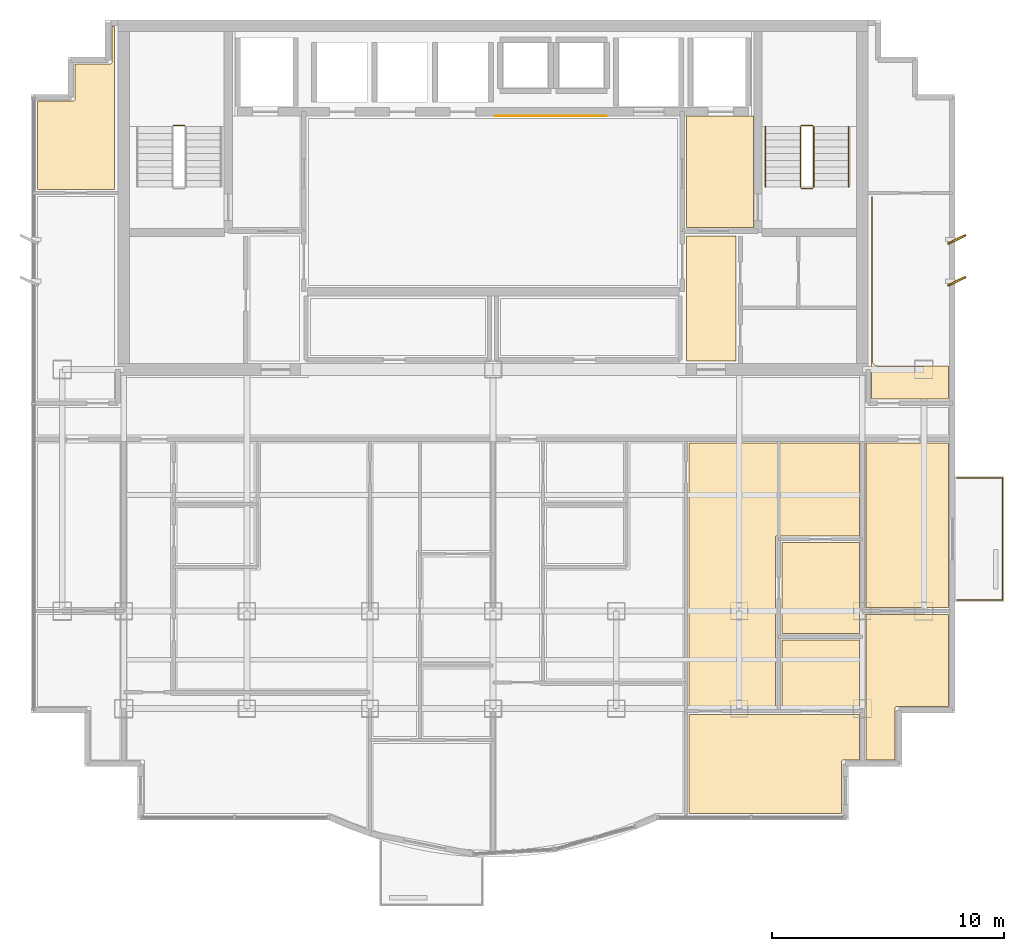
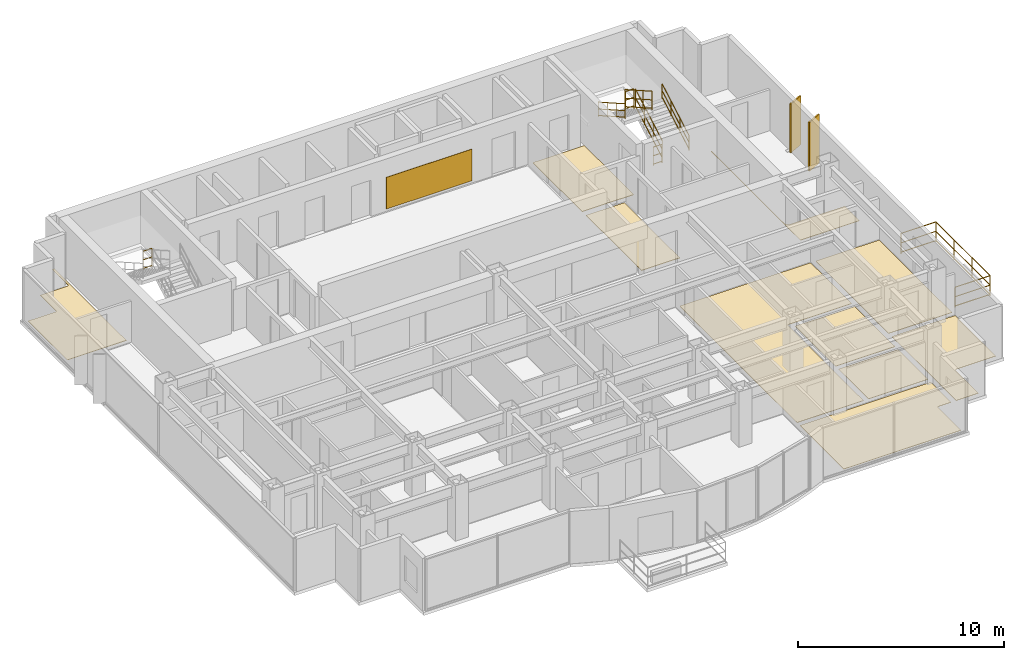
# One storey, part 11 of 11: 11 coverings, 8 railings, 2 shading devices.
"""IFC4 building model written with IfcOpenShell, lengths in metres."""

from ifc_helpers import new_model, si_unit, direction, frame, origin, origin_2d, place, context, subcontext, project, spatial, polyline, rectangle, circle, outline, extrude, source, transform, mapped, material, layer, layer_set, type_object, element, save


model = new_model("IFC4")

# Units and contexts
model_context = context("Model", 3, precision=1e-05, world=origin(), true_north=direction((0.0, 1.0)))
body_context = subcontext(model_context, "Body", "Model", "MODEL_VIEW")
ifc_project = project(units=[si_unit("LENGTHUNIT", "METRE"), si_unit("AREAUNIT", "SQUARE_METRE"), si_unit("VOLUMEUNIT", "CUBIC_METRE"), si_unit("PLANEANGLEUNIT", "RADIAN"), si_unit("MASSUNIT", "GRAM", prefix="KILO")], contexts=[model_context])

# Site, building, storey
site_placement = place(None, origin())
site = spatial("IfcSite", under=ifc_project, at=site_placement, CompositionType="ELEMENT")
building_placement = place(site_placement, origin())
building = spatial("IfcBuilding", under=site, at=building_placement, Name="Qianlan Lanfeng Residences", CompositionType="ELEMENT")
storey_placement = place(building_placement, frame((0.0, 0.0, 223.10009765625)))
storey = spatial("IfcBuildingStorey", under=building, at=storey_placement, Name="L61", CompositionType="ELEMENT", Elevation=223.10009765625)

# Coverings
ifc_material_1 = material(Name="Anodised Bronze Feature Wall Cladding")
ifc_layer_1 = layer(ifc_material_1, 0.02490234375)
ifc_layer_set_1 = layer_set([ifc_layer_1], Name="Anodised Bronze Feature Wall Cladding")
covering_type_1 = type_object("IfcCoveringType", Name="CLD-BRZ-25", PredefinedType="CLADDING", material=ifc_layer_set_1)
covering_1_placement = place(storey_placement, frame((0.0, 0.0, 0.14990234375)))
element("IfcCovering", 1, at=covering_1_placement, inside=storey, type_object=covering_type_1, Name="L61 Lift Lobby Bronze Feature Cladding", PredefinedType="CLADDING", context=body_context, shape_type="SweptSolid", body=[
    extrude(outline(polyline([(26.60009765625, 36.10009765625), (31.39990234375, 36.10009765625), (31.39990234375, 36.125), (26.60009765625, 36.125), (26.60009765625, 36.10009765625)])), origin(), (0.0, 0.0, 1.0), 1.8798828125),
])
ifc_material_2 = material(Name="Honed Taitung Granite Stone Flooring", Category="masonry")
ifc_layer_2 = layer(ifc_material_2, 0.030029296875)
ifc_layer_set_2 = layer_set([ifc_layer_2], Name="Honed Taitung Granite Stone Flooring")
covering_type_2 = type_object("IfcCoveringType", Name="FLR-STN-30", PredefinedType="FLOORING", material=ifc_layer_set_2)
covering_2_placement = place(storey_placement, origin())
element("IfcCovering", 2, at=covering_2_placement, inside=storey, type_object=covering_type_2, Name="L61 Firefighting Lift Lobby Floor Finish", PredefinedType="FLOORING", context=body_context, shape_type="SweptSolid", body=[
    extrude(outline(polyline([(34.820068359375, 31.320068359375), (37.7099609375, 31.320068359375), (37.7099609375, 36.110107421875), (34.820068359375, 36.110107421875), (34.820068359375, 31.320068359375)])), origin(), (0.0, 0.0, 1.0), 0.02978515625),
])
covering_3_placement = place(storey_placement, origin())
element("IfcCovering", 3, at=covering_3_placement, inside=storey, type_object=covering_type_2, Name="L61 Lift Lobby Floor Finish", PredefinedType="FLOORING", context=body_context, shape_type="SweptSolid", body=[
    extrude(outline(polyline([(34.830078125, 25.56005859375), (36.969970703125, 25.56005859375), (36.969970703125, 30.949951171875), (34.830078125, 30.949951171875), (34.830078125, 25.56005859375)])), origin(), (0.0, 0.0, 1.0), 0.02978515625),
])
ifc_material_3 = material(Name="Slip-Resistant Porcelain Tile Flooring")
ifc_layer_3 = layer(ifc_material_3, 0.02001953125)
ifc_layer_set_3 = layer_set([ifc_layer_3], Name="Slip-Resistant Porcelain Tile Flooring")
covering_type_3 = type_object("IfcCoveringType", Name="FLR-TIL-20", PredefinedType="FLOORING", material=ifc_layer_set_3)
covering_4_placement = place(storey_placement, origin())
element("IfcCovering", 4, at=covering_4_placement, inside=storey, type_object=covering_type_3, Name="L61 En-Suite Bathroom Floor Finish", PredefinedType="FLOORING", context=body_context, shape_type="SweptSolid", body=[
    extrude(outline(polyline([(38.93994140625, 10.634033203125), (42.27001953125, 10.634033203125), (42.27001953125, 13.553955078125), (38.93994140625, 13.553955078125), (38.93994140625, 10.634033203125)])), origin(), (0.0, 0.0, 1.0), 0.02001953125),
])
ifc_material_4 = material(Name="Engineered Smoked Oak Timber Flooring", Category="wood")
ifc_layer_4 = layer(ifc_material_4, 0.02197265625)
ifc_layer_set_4 = layer_set([ifc_layer_4], Name="Engineered Smoked Oak Timber Flooring")
covering_type_4 = type_object("IfcCoveringType", Name="FLR-TIM-22", PredefinedType="FLOORING", material=ifc_layer_set_4)
covering_5_placement = place(storey_placement, origin())
element("IfcCovering", 5, at=covering_5_placement, inside=storey, type_object=covering_type_4, Name="L61 Private Study Floor Finish", PredefinedType="FLOORING", context=body_context, shape_type="SweptSolid", body=[
    extrude(outline(polyline([(38.93994140625, 13.833984375), (42.27001953125, 13.833984375), (42.27001953125, 17.757080078125), (38.93994140625, 17.757080078125), (38.93994140625, 13.833984375)])), origin(), (0.0, 0.0, 1.0), 0.02197265625),
])
covering_6_placement = place(storey_placement, origin())
element("IfcCovering", 6, at=covering_6_placement, inside=storey, type_object=covering_type_4, Name="L61 Villa Family Sitting Room Floor Finish", PredefinedType="FLOORING", context=body_context, shape_type="SweptSolid", body=[
    extrude(outline(polyline([(34.929931640625, 10.634033203125), (38.659912109375, 10.634033203125), (38.659912109375, 17.967041015625), (38.659912109375, 17.97412109375), (38.660888671875, 17.98095703125), (38.6630859375, 17.987060546875), (38.6650390625, 17.993896484375), (38.66796875, 18.0), (38.672119140625, 18.006103515625), (38.676025390625, 18.010986328125), (38.680908203125, 18.01611328125), (38.68603515625, 18.02099609375), (38.69091796875, 18.02490234375), (38.697021484375, 18.029052734375), (38.702880859375, 18.031982421875), (38.7099609375, 18.033935546875), (38.716064453125, 18.035888671875), (38.722900390625, 18.037109375), (38.72998046875, 18.037109375), (42.27001953125, 18.037109375), (42.27001953125, 22.030029296875), (34.929931640625, 22.030029296875), (34.929931640625, 10.634033203125)])), origin(), (0.0, 0.0, 1.0), 0.02197265625),
])
covering_7_placement = place(storey_placement, origin())
element("IfcCovering", 7, at=covering_7_placement, inside=storey, type_object=covering_type_4, Name="L61 Master Bedroom Floor Finish", PredefinedType="FLOORING", context=body_context, shape_type="SweptSolid", body=[
    extrude(outline(polyline([(34.929931640625, 10.35400390625), (34.929931640625, 6.090087890625), (41.510009765625, 6.090087890625), (41.510009765625, 8.320068359375), (41.510009765625, 8.326904296875), (41.510986328125, 8.333984375), (41.512939453125, 8.340087890625), (41.514892578125, 8.346923828125), (41.51806640625, 8.35302734375), (41.52197265625, 8.35888671875), (41.52587890625, 8.364013671875), (41.531005859375, 8.368896484375), (41.535888671875, 8.3740234375), (41.541015625, 8.3779296875), (41.547119140625, 8.382080078125), (41.552978515625, 8.385009765625), (41.56005859375, 8.386962890625), (41.56591796875, 8.388916015625), (41.572998046875, 8.389892578125), (41.580078125, 8.389892578125), (42.27001953125, 8.389892578125), (42.27001953125, 10.35400390625), (34.929931640625, 10.35400390625)])), origin(), (0.0, 0.0, 1.0), 0.02197265625),
])
covering_8_placement = place(storey_placement, origin())
element("IfcCovering", 8, at=covering_8_placement, inside=storey, type_object=covering_type_4, Name="L61 Sunroom Floor Finish", PredefinedType="FLOORING", context=body_context, shape_type="SweptSolid", body=[
    extrude(outline(polyline([(46.110107421875, 14.64990234375), (42.56005859375, 14.64990234375), (42.56005859375, 8.389892578125), (43.81005859375, 8.389892578125), (43.81005859375, 10.6201171875), (43.81005859375, 10.626953125), (43.81103515625, 10.634033203125), (43.81298828125, 10.639892578125), (43.81494140625, 10.64697265625), (43.818115234375, 10.653076171875), (43.822021484375, 10.658935546875), (43.825927734375, 10.6640625), (43.8310546875, 10.6689453125), (43.8359375, 10.674072265625), (43.841064453125, 10.677978515625), (43.846923828125, 10.681884765625), (43.85302734375, 10.68505859375), (43.860107421875, 10.68701171875), (43.865966796875, 10.68896484375), (43.873046875, 10.68994140625), (43.8798828125, 10.68994140625), (46.110107421875, 10.68994140625), (46.110107421875, 14.64990234375)])), origin(), (0.0, 0.0, 1.0), 0.02197265625),
])
covering_9_placement = place(storey_placement, origin())
element("IfcCovering", 9, at=covering_9_placement, inside=storey, type_object=covering_type_4, Name="L61 Private Study Floor Finish", PredefinedType="FLOORING", context=body_context, shape_type="SweptSolid", body=[
    extrude(outline(polyline([(46.110107421875, 22.030029296875), (42.56005859375, 22.030029296875), (42.56005859375, 14.949951171875), (46.110107421875, 14.949951171875), (46.110107421875, 22.030029296875)])), origin(), (0.0, 0.0, 1.0), 0.02197265625),
])
covering_10_placement = place(storey_placement, origin())
element("IfcCovering", 10, at=covering_10_placement, inside=storey, type_object=covering_type_4, Name="L61 Resident Lounge Floor Finish", PredefinedType="FLOORING", context=body_context, shape_type="SweptSolid", body=[
    extrude(outline(polyline([(6.889892578125, 32.949951171875), (10.199951171875, 32.949951171875), (10.199951171875, 39.9599609375), (10.090087890625, 39.9599609375), (10.090087890625, 38.429931640625), (10.090087890625, 38.423095703125), (10.089111328125, 38.416015625), (10.0869140625, 38.409912109375), (10.0849609375, 38.403076171875), (10.08203125, 38.39697265625), (10.077880859375, 38.39111328125), (10.073974609375, 38.385986328125), (10.069091796875, 38.381103515625), (10.06396484375, 38.3759765625), (10.05908203125, 38.3720703125), (10.052978515625, 38.367919921875), (10.047119140625, 38.364990234375), (10.0400390625, 38.363037109375), (10.033935546875, 38.361083984375), (10.027099609375, 38.360107421875), (10.02001953125, 38.360107421875), (8.489990234375, 38.360107421875), (8.489990234375, 36.830078125), (8.489990234375, 36.822998046875), (8.489013671875, 36.81591796875), (8.487060546875, 36.81005859375), (8.485107421875, 36.802978515625), (8.48193359375, 36.797119140625), (8.47802734375, 36.791015625), (8.47412109375, 36.785888671875), (8.468994140625, 36.781005859375), (8.464111328125, 36.77587890625), (8.458984375, 36.77197265625), (8.452880859375, 36.76806640625), (8.447021484375, 36.764892578125), (8.43994140625, 36.762939453125), (8.43408203125, 36.760986328125), (8.427001953125, 36.760009765625), (8.419921875, 36.760009765625), (6.889892578125, 36.760009765625), (6.889892578125, 32.949951171875)])), origin(), (0.0, 0.0, 1.0), 0.02197265625),
])
covering_11_placement = place(storey_placement, origin())
element("IfcCovering", 11, at=covering_11_placement, inside=storey, type_object=covering_type_4, Name="L61 Tea Salon Floor Finish", PredefinedType="FLOORING", context=body_context, shape_type="SweptSolid", body=[
    extrude(outline(polyline([(46.110107421875, 25.35009765625), (43.080078125, 25.35009765625), (43.054931640625, 25.35107421875), (43.031005859375, 25.35498046875), (43.007080078125, 25.361083984375), (42.98388671875, 25.368896484375), (42.9619140625, 25.3798828125), (42.94091796875, 25.39208984375), (42.9208984375, 25.406982421875), (42.903076171875, 25.423095703125), (42.886962890625, 25.44091796875), (42.8720703125, 25.4609375), (42.860107421875, 25.48193359375), (42.84912109375, 25.50390625), (42.841064453125, 25.527099609375), (42.8349609375, 25.551025390625), (42.8310546875, 25.574951171875), (42.830078125, 25.60009765625), (42.830078125, 32.64990234375), (42.800048828125, 32.64990234375), (42.800048828125, 23.929931640625), (46.110107421875, 23.929931640625), (46.110107421875, 25.35009765625)])), origin(), (0.0, 0.0, 1.0), 0.02197265625),
])

# Railings
ifc_material_5 = material(Name="Anodised Bronze Aluminium and Laminated Glass Guard Balustrade", Category="aluminium")
railing_type_1 = type_object("IfcRailingType", Name="GR-EXT-1220", PredefinedType="BALUSTRADE", material=ifc_material_5)
railing_1_placement = place(storey_placement, frame((46.469970703125, 20.530029296875, 0.0)))
element("IfcRailing", 12, at=railing_1_placement, inside=storey, type_object=railing_type_1, Name="L61 Terrace Safety Guard GR-L61-EB-S", PredefinedType="BALUSTRADE", context=body_context, shape_type="SweptSolid", body=[
    extrude(circle(Radius=0.02490234375, at=origin_2d()), frame((0.0, 0.0, 0.0849609375), z_axis=(1.0, 0.0, 0.0), x_axis=(0.0, 1.0, 0.0)), (0.0, 0.0, 1.0), 1.9599609375),
    extrude(circle(Radius=0.02490234375, at=origin_2d()), frame((0.0, 0.0, 0.63427734375), z_axis=(1.0, 0.0, 0.0), x_axis=(0.0, 1.0, 0.0)), (0.0, 0.0, 1.0), 1.9599609375),
    extrude(circle(Radius=0.02490234375, at=origin_2d()), frame((0.0, 0.0, 1.19482421875), z_axis=(1.0, 0.0, 0.0), x_axis=(0.0, 1.0, 0.0)), (0.0, 0.0, 1.0), 1.9599609375),
    extrude(circle(Radius=0.02490234375, at=origin_2d()), frame((1.9599609375, 0.0, 0.0849609375), z_axis=(0.0, -1.0, 0.0), x_axis=(1.0, 0.0, 0.0)), (0.0, 0.0, 1.0), 5.260009765625),
    extrude(circle(Radius=0.02490234375, at=origin_2d()), frame((1.9599609375, 0.0, 0.63427734375), z_axis=(0.0, -1.0, 0.0), x_axis=(1.0, 0.0, 0.0)), (0.0, 0.0, 1.0), 5.260009765625),
    extrude(circle(Radius=0.02490234375, at=origin_2d()), frame((1.9599609375, 0.0, 1.19482421875), z_axis=(0.0, -1.0, 0.0), x_axis=(1.0, 0.0, 0.0)), (0.0, 0.0, 1.0), 5.260009765625),
    extrude(circle(Radius=0.02490234375, at=origin_2d()), frame((1.9599609375, -5.260009765625, 0.0849609375), z_axis=(-1.0, 0.0, 0.0), x_axis=(0.0, -1.0, 0.0)), (0.0, 0.0, 1.0), 1.9599609375),
    extrude(circle(Radius=0.02490234375, at=origin_2d()), frame((1.9599609375, -5.260009765625, 0.63427734375), z_axis=(-1.0, 0.0, 0.0), x_axis=(0.0, -1.0, 0.0)), (0.0, 0.0, 1.0), 1.9599609375),
    extrude(circle(Radius=0.02490234375, at=origin_2d()), frame((1.9599609375, -5.260009765625, 1.19482421875), z_axis=(-1.0, 0.0, 0.0), x_axis=(0.0, -1.0, 0.0)), (0.0, 0.0, 1.0), 1.9599609375),
    extrude(circle(Radius=0.02099609375, at=origin_2d()), origin(), (0.0, 0.0, 1.0), 1.169921875),
    extrude(circle(Radius=0.02099609375, at=origin_2d()), frame((1.9599609375, 0.0, 0.0)), (0.0, 0.0, 1.0), 1.169921875),
    extrude(circle(Radius=0.02099609375, at=origin_2d()), frame((1.9599609375, -1.75341796875, 0.0)), (0.0, 0.0, 1.0), 1.169921875),
    extrude(circle(Radius=0.02099609375, at=origin_2d()), frame((1.9599609375, -3.506591796875, 0.0)), (0.0, 0.0, 1.0), 1.169921875),
    extrude(circle(Radius=0.02099609375, at=origin_2d()), frame((1.9599609375, -5.260009765625, 0.0)), (0.0, 0.0, 1.0), 1.169921875),
    extrude(circle(Radius=0.02099609375, at=origin_2d()), frame((0.0, -5.260009765625, 0.0)), (0.0, 0.0, 1.0), 1.169921875),
])
ifc_material_6 = material(Name="Painted Galvanised Steel Guardrail", Category="steel")
railing_type_2 = type_object("IfcRailingType", Name="GR-ST-1120", PredefinedType="GUARDRAIL", material=ifc_material_6)
railing_2_placement = place(storey_placement, frame((13.219970703125, 35.7099609375, 1.64990234375)))
element("IfcRailing", 13, at=railing_2_placement, inside=storey, type_object=railing_type_2, Name="L61 ST-1 stair guard 2", PredefinedType="GUARDRAIL", context=body_context, shape_type="SweptSolid", body=[
    extrude(circle(Radius=0.02392578125, at=origin_2d()), frame((0.0, 0.0, 0.083984375), z_axis=(-1.0, 0.0, 0.0), x_axis=(0.0, -1.0, 0.0)), (0.0, 0.0, 1.0), 0.47998046875),
    extrude(circle(Radius=0.02392578125, at=origin_2d()), frame((0.0, 0.0, 0.58251953125), z_axis=(-1.0, 0.0, 0.0), x_axis=(0.0, -1.0, 0.0)), (0.0, 0.0, 1.0), 0.47998046875),
    extrude(circle(Radius=0.02392578125, at=origin_2d()), frame((0.0, 0.0, 1.09619140625), z_axis=(-1.0, 0.0, 0.0), x_axis=(0.0, -1.0, 0.0)), (0.0, 0.0, 1.0), 0.47998046875),
    extrude(circle(Radius=0.02099609375, at=origin_2d()), origin(), (0.0, 0.0, 1.0), 1.072021484375),
    extrude(circle(Radius=0.02099609375, at=origin_2d()), frame((-0.47998046875, 0.0, 0.0)), (0.0, 0.0, 1.0), 1.072021484375),
])
railing_3_placement = place(storey_placement, frame((40.31005859375, 33.050048828125, 0.164794921875)))
element("IfcRailing", 14, at=railing_3_placement, inside=storey, type_object=railing_type_2, Name="L61 ST-2 stair guard 1", PredefinedType="GUARDRAIL", context=body_context, shape_type="SweptSolid", body=[
    extrude(circle(Radius=0.02392578125, at=origin_2d()), frame((0.0, 0.0, 0.083984375), z_axis=(0.0, 0.869137319866, 0.494570843475), x_axis=(-1.0, 0.0, 0.0)), (0.0, 0.0, 1.0), 3.0029296875),
    extrude(circle(Radius=0.02392578125, at=origin_2d()), frame((0.0, 0.0, 0.58251953125), z_axis=(0.0, 0.869137319866, 0.494570843475), x_axis=(-1.0, 0.0, 0.0)), (0.0, 0.0, 1.0), 3.0029296875),
    extrude(circle(Radius=0.02392578125, at=origin_2d()), frame((0.0, 0.0, 1.09619140625), z_axis=(0.0, 0.869137319866, 0.494570843475), x_axis=(-1.0, 0.0, 0.0)), (0.0, 0.0, 1.0), 3.0029296875),
    extrude(circle(Radius=0.02099609375, at=origin_2d()), origin(), (0.0, 0.0, 1.0), 1.072021484375),
    extrude(circle(Radius=0.02099609375, at=origin_2d()), frame((0.0, 0.869873046875, 0.4951171875)), (0.0, 0.0, 1.0), 1.072021484375),
    extrude(circle(Radius=0.02099609375, at=origin_2d()), frame((0.0, 1.739990234375, 0.989990234375)), (0.0, 0.0, 1.0), 1.072021484375),
    extrude(circle(Radius=0.02099609375, at=origin_2d()), frame((0.0, 2.60986328125, 1.485107421875)), (0.0, 0.0, 1.0), 1.072021484375),
])
railing_4_placement = place(storey_placement, frame((40.260009765625, 35.7099609375, 1.64990234375)))
element("IfcRailing", 15, at=railing_4_placement, inside=storey, type_object=railing_type_2, Name="L61 ST-2 stair guard 2", PredefinedType="GUARDRAIL", context=body_context, shape_type="SweptSolid", body=[
    extrude(circle(Radius=0.02392578125, at=origin_2d()), frame((0.0, 0.0, 0.083984375), z_axis=(-1.0, 0.0, 0.0), x_axis=(0.0, -1.0, 0.0)), (0.0, 0.0, 1.0), 0.47998046875),
    extrude(circle(Radius=0.02392578125, at=origin_2d()), frame((0.0, 0.0, 0.58251953125), z_axis=(-1.0, 0.0, 0.0), x_axis=(0.0, -1.0, 0.0)), (0.0, 0.0, 1.0), 0.47998046875),
    extrude(circle(Radius=0.02392578125, at=origin_2d()), frame((0.0, 0.0, 1.09619140625), z_axis=(-1.0, 0.0, 0.0), x_axis=(0.0, -1.0, 0.0)), (0.0, 0.0, 1.0), 0.47998046875),
    extrude(circle(Radius=0.02099609375, at=origin_2d()), origin(), (0.0, 0.0, 1.0), 1.072021484375),
    extrude(circle(Radius=0.02099609375, at=origin_2d()), frame((-0.47998046875, 0.0, 0.0)), (0.0, 0.0, 1.0), 1.072021484375),
])
railing_5_placement = place(storey_placement, frame((39.72998046875, 35.659912109375, 1.81494140625)))
element("IfcRailing", 16, at=railing_5_placement, inside=storey, type_object=railing_type_2, Name="L61 ST-2 stair guard 3", PredefinedType="GUARDRAIL", context=body_context, shape_type="SweptSolid", body=[
    extrude(circle(Radius=0.02392578125, at=origin_2d()), frame((0.0, 0.0, 0.083984375), z_axis=(0.0, -0.869172267526, 0.494509422927), x_axis=(1.0, 0.0, 0.0)), (0.0, 0.0, 1.0), 3.002685546875),
    extrude(circle(Radius=0.02392578125, at=origin_2d()), frame((0.0, 0.0, 0.58251953125), z_axis=(0.0, -0.869172267526, 0.494509422927), x_axis=(1.0, 0.0, 0.0)), (0.0, 0.0, 1.0), 3.002685546875),
    extrude(circle(Radius=0.02392578125, at=origin_2d()), frame((0.0, 0.0, 1.09619140625), z_axis=(0.0, -0.869172267526, 0.494509422927), x_axis=(1.0, 0.0, 0.0)), (0.0, 0.0, 1.0), 3.002685546875),
    extrude(circle(Radius=0.02099609375, at=origin_2d()), origin(), (0.0, 0.0, 1.0), 1.072021484375),
    extrude(circle(Radius=0.02099609375, at=origin_2d()), frame((0.0, -0.869873046875, 0.494873046875)), (0.0, 0.0, 1.0), 1.072021484375),
    extrude(circle(Radius=0.02099609375, at=origin_2d()), frame((0.0, -1.739990234375, 0.989990234375)), (0.0, 0.0, 1.0), 1.072021484375),
    extrude(circle(Radius=0.02099609375, at=origin_2d()), frame((0.0, -2.60986328125, 1.48486328125)), (0.0, 0.0, 1.0), 1.072021484375),
])
railing_6_placement = place(storey_placement, frame((40.260009765625, 33.0, 0.0)))
element("IfcRailing", 17, at=railing_6_placement, inside=storey, type_object=railing_type_2, Name="L61 ST-2 stair guard 4", PredefinedType="GUARDRAIL", context=body_context, shape_type="SweptSolid", body=[
    extrude(circle(Radius=0.02392578125, at=origin_2d()), frame((0.0, 0.0, 0.083984375), z_axis=(-1.0, 0.0, 0.0), x_axis=(0.0, -1.0, 0.0)), (0.0, 0.0, 1.0), 0.47998046875),
    extrude(circle(Radius=0.02392578125, at=origin_2d()), frame((0.0, 0.0, 0.58251953125), z_axis=(-1.0, 0.0, 0.0), x_axis=(0.0, -1.0, 0.0)), (0.0, 0.0, 1.0), 0.47998046875),
    extrude(circle(Radius=0.02392578125, at=origin_2d()), frame((0.0, 0.0, 1.09619140625), z_axis=(-1.0, 0.0, 0.0), x_axis=(0.0, -1.0, 0.0)), (0.0, 0.0, 1.0), 0.47998046875),
    extrude(circle(Radius=0.02099609375, at=origin_2d()), origin(), (0.0, 0.0, 1.0), 1.072021484375),
    extrude(circle(Radius=0.02099609375, at=origin_2d()), frame((-0.47998046875, 0.0, 0.0)), (0.0, 0.0, 1.0), 1.072021484375),
])
ifc_material_7 = material(Name="Brushed Stainless Steel Handrail", Category="steel")
railing_type_3 = type_object("IfcRailingType", Name="HR-ST-920", PredefinedType="HANDRAIL", material=ifc_material_7)
railing_7_placement = place(storey_placement, frame((41.81005859375, 33.050048828125, 0.164794921875)))
element("IfcRailing", 18, at=railing_7_placement, inside=storey, type_object=railing_type_3, Name="L61 ST-2 stair handrail 1", PredefinedType="HANDRAIL", context=body_context, shape_type="SweptSolid", body=[
    extrude(circle(Radius=0.02392578125, at=origin_2d()), frame((0.0, 0.0, 0.083984375), z_axis=(0.0, 0.869137319866, 0.494570843475), x_axis=(-1.0, 0.0, 0.0)), (0.0, 0.0, 1.0), 3.0029296875),
    extrude(circle(Radius=0.02392578125, at=origin_2d()), frame((0.0, 0.0, 0.468017578125), z_axis=(0.0, 0.869137319866, 0.494570843475), x_axis=(-1.0, 0.0, 0.0)), (0.0, 0.0, 1.0), 3.0029296875),
    extrude(circle(Radius=0.02392578125, at=origin_2d()), frame((0.0, 0.0, 0.8759765625), z_axis=(0.0, 0.869137319866, 0.494570843475), x_axis=(-1.0, 0.0, 0.0)), (0.0, 0.0, 1.0), 3.0029296875),
    extrude(circle(Radius=0.02099609375, at=origin_2d()), origin(), (0.0, 0.0, 1.0), 0.851806640625),
    extrude(circle(Radius=0.02099609375, at=origin_2d()), frame((0.0, 0.869873046875, 0.4951171875)), (0.0, 0.0, 1.0), 0.851806640625),
    extrude(circle(Radius=0.02099609375, at=origin_2d()), frame((0.0, 1.739990234375, 0.989990234375)), (0.0, 0.0, 1.0), 0.851806640625),
    extrude(circle(Radius=0.02099609375, at=origin_2d()), frame((0.0, 2.60986328125, 1.485107421875)), (0.0, 0.0, 1.0), 0.851806640625),
])
railing_8_placement = place(storey_placement, frame((38.22998046875, 35.659912109375, 1.81494140625)))
element("IfcRailing", 19, at=railing_8_placement, inside=storey, type_object=railing_type_3, Name="L61 ST-2 stair handrail 2", PredefinedType="HANDRAIL", context=body_context, shape_type="SweptSolid", body=[
    extrude(circle(Radius=0.02392578125, at=origin_2d()), frame((0.0, 0.0, 0.083984375), z_axis=(0.0, -0.869172267526, 0.494509422927), x_axis=(1.0, 0.0, 0.0)), (0.0, 0.0, 1.0), 3.002685546875),
    extrude(circle(Radius=0.02392578125, at=origin_2d()), frame((0.0, 0.0, 0.468017578125), z_axis=(0.0, -0.869172267526, 0.494509422927), x_axis=(1.0, 0.0, 0.0)), (0.0, 0.0, 1.0), 3.002685546875),
    extrude(circle(Radius=0.02392578125, at=origin_2d()), frame((0.0, 0.0, 0.8759765625), z_axis=(0.0, -0.869172267526, 0.494509422927), x_axis=(1.0, 0.0, 0.0)), (0.0, 0.0, 1.0), 3.002685546875),
    extrude(circle(Radius=0.02099609375, at=origin_2d()), origin(), (0.0, 0.0, 1.0), 0.851806640625),
    extrude(circle(Radius=0.02099609375, at=origin_2d()), frame((0.0, -0.869873046875, 0.494873046875)), (0.0, 0.0, 1.0), 0.851806640625),
    extrude(circle(Radius=0.02099609375, at=origin_2d()), frame((0.0, -1.739990234375, 0.989990234375)), (0.0, 0.0, 1.0), 0.851806640625),
    extrude(circle(Radius=0.02099609375, at=origin_2d()), frame((0.0, -2.60986328125, 1.48486328125)), (0.0, 0.0, 1.0), 0.851806640625),
])

# Shading devices
ifc_material_8 = material(Name="Anodised Bronze Aluminium Solar Fin", Category="aluminium")
shading_device_type = type_object("IfcShadingDeviceType", Name="FIN-BRZ-850", PredefinedType="SHUTTER", material=ifc_material_8)
shared_shape = source(origin(), body_context, "Body", "SweptSolid", [
    extrude(rectangle(XDim=0.85009765625, YDim=0.080078125, at=origin_2d()), origin(), (0.0, 0.0, 1.0), 2.89990234375),
])
for number, where, z_axis, x_axis, name in (
    (20, (46.469970703125, 29.0, 0.0), (0.0, 0.0, 1.0), (0.898794046299, 0.438371146789, 0.0), "L61 Raked Bronze Solar Fin E1"),
    (21, (46.469970703125, 30.800048828125, 0.0), (0.0, 0.0, 1.0), (0.898794046299, 0.438371146789, 0.0), "L61 Raked Bronze Solar Fin E2"),
):
    element("IfcShadingDevice", number, at=place(storey_placement, frame(where, z_axis=z_axis, x_axis=x_axis)), inside=storey, type_object=shading_device_type, Name=name, PredefinedType="SHUTTER", context=body_context, shape_type="MappedRepresentation", body=[
        mapped(shared_shape, transform((0.0, 0.0, 0.0), scale=1.0)),
    ])

save(model, "model.ifc")
